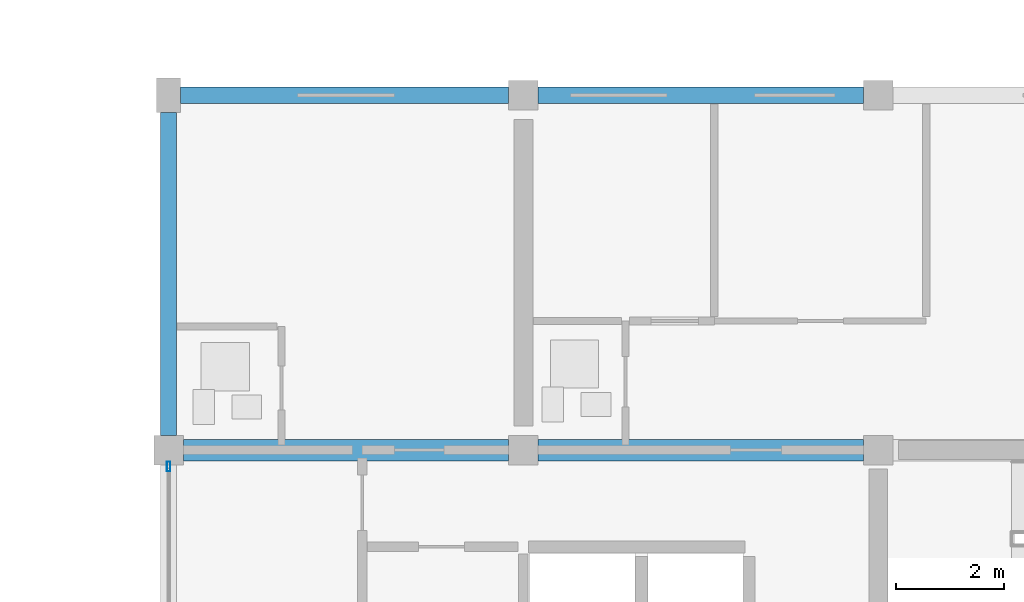
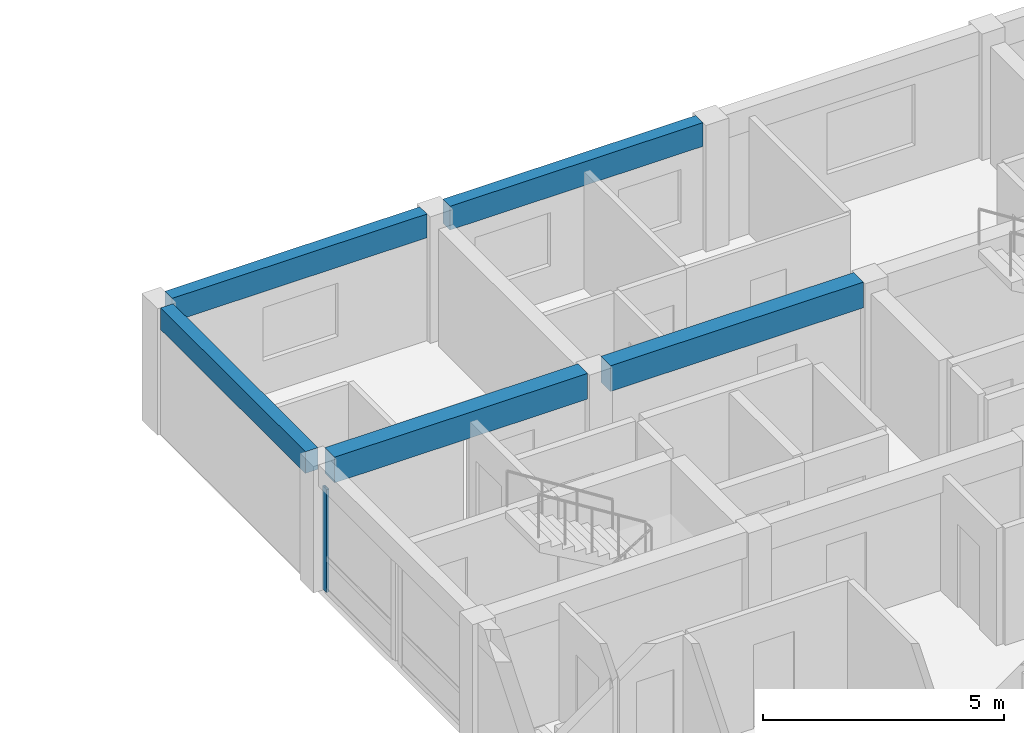
# One storey, part 20 of 52: 5 beams, 1 member, 1 element without a shape of its own.
"""IFC4 building model written with IfcOpenShell, lengths in metres."""

import ifcopenshell
import ifcopenshell.guid

model = None  # the IFC model being written
_history = None  # IfcOwnerHistory: only IFC2X3 demands one
_inside = {}  # id of a spatial element -> (the spatial element, [elements in it])
_under = {}  # id of a project, library or spatial element -> (it, [spatial elements below it])
_declared = {}  # id of a project -> (the project, [libraries it declares])
_typed = {}  # id of a type object -> (the type object, [elements of that type])
_made_of = {}  # id of a material, layer set ... -> (it, [elements and type objects made of it])


def new_model(schema):
    """Start an empty IFC model of exactly this schema.

    Asked for "IFC4X3", IfcOpenShell would pick the latest addendum, in which some entities
    have other attributes; the version numbers below select the first issue.
    IFC2X3 requires an IfcOwnerHistory on every rooted entity: one is made here for all.
    """
    global model, _history
    if schema == "IFC4X3":
        model = ifcopenshell.file(schema_version=(4, 3, 0, 0))
    else:
        model = ifcopenshell.file(schema=schema)
    _inside.clear()
    _under.clear()
    _declared.clear()
    _typed.clear()
    _made_of.clear()
    _history = None
    if model.schema == "IFC2X3":
        org = make("IfcOrganization", Name="unknown")
        user = make(
            "IfcPersonAndOrganization",
            ThePerson=make("IfcPerson", FamilyName="unknown"),
            TheOrganization=org,
        )
        app = make(
            "IfcApplication",
            ApplicationDeveloper=org,
            Version="unknown",
            ApplicationFullName="unknown",
            ApplicationIdentifier="unknown",
        )
        _history = make(
            "IfcOwnerHistory",
            OwningUser=user,
            OwningApplication=app,
            ChangeAction="ADDED",
            CreationDate=0,
        )
    return model


def make(cls, **values):
    """One entity of the class cls with the attributes given. An attribute that is None is left unset."""
    return model.create_entity(
        cls, **{name: value for name, value in values.items() if value is not None}
    )


def rooted(cls, **values):
    """An entity with a GlobalId (a new one), such as an element, a storey or a relation."""
    return make(cls, GlobalId=ifcopenshell.guid.new(), OwnerHistory=_history, **values)


def si_unit(unit_type, name, prefix=None):
    """IfcSIUnit, for example si_unit("LENGTHUNIT", "METRE", prefix="MILLI")."""
    return make("IfcSIUnit", UnitType=unit_type, Prefix=prefix, Name=name)


def assignment(units):
    """IfcUnitAssignment: the units of a project."""
    return None if units is None else make("IfcUnitAssignment", Units=units)


def point(xyz):
    """IfcCartesianPoint."""
    return None if xyz is None else make("IfcCartesianPoint", Coordinates=xyz)


def direction(xyz):
    """IfcDirection."""
    return None if xyz is None else make("IfcDirection", DirectionRatios=xyz)


def frame(location, z_axis=None, x_axis=None):
    """IfcAxis2Placement3D, a coordinate frame: its origin and axes. An axis left out is left unset."""
    return make(
        "IfcAxis2Placement3D",
        Location=point(location),
        Axis=direction(z_axis),
        RefDirection=direction(x_axis),
    )


def frame_2d(location, x_axis=None):
    """IfcAxis2Placement2D, a coordinate frame in the plane: its origin and x axis."""
    return make(
        "IfcAxis2Placement2D", Location=point(location), RefDirection=direction(x_axis)
    )


def origin():
    """The frame at (0, 0, 0) with its axes left unset."""
    return frame((0.0, 0.0, 0.0))


def origin_2d():
    """The frame at (0, 0) in the plane with its x axis left unset."""
    return frame_2d((0.0, 0.0))


def place(relative_to, where):
    """IfcLocalPlacement: puts the frame where relative to a parent placement (None: the world)."""
    return make(
        "IfcLocalPlacement", PlacementRelTo=relative_to, RelativePlacement=where
    )


def context(
    kind, dimensions, precision=None, world=None, true_north=None, identifier=None
):
    """IfcGeometricRepresentationContext, for example the 3D "Model" context."""
    return make(
        "IfcGeometricRepresentationContext",
        ContextIdentifier=identifier,
        ContextType=kind,
        CoordinateSpaceDimension=dimensions,
        Precision=precision,
        WorldCoordinateSystem=world,
        TrueNorth=true_north,
    )


def subcontext(parent, identifier, kind, view, scale=None):
    """IfcGeometricRepresentationSubContext, for example "Body" below "Model"."""
    return make(
        "IfcGeometricRepresentationSubContext",
        ContextIdentifier=identifier,
        ContextType=kind,
        ParentContext=parent,
        TargetScale=scale,
        TargetView=view,
    )


def project(units=None, contexts=None):
    """IfcProject with its units and contexts."""
    return rooted(
        "IfcProject",
        Name="project",
        RepresentationContexts=contexts,
        UnitsInContext=assignment(units),
    )


def spatial(cls, under=None, at=None, **own):
    """A site, building, storey or space (cls), placed at a placement, below another one or the project."""
    s = rooted(cls, ObjectPlacement=at, **own)
    if under is not None:
        _under.setdefault(under.id(), (under, []))[1].append(s)
    return s


def profile(cls, at=None, kind="AREA", **sizes):
    """A parametric profile (cls). Its sizes go by their IFC names, for example OverallWidth=200.0."""
    return make(cls, ProfileType=kind, Position=at, **sizes)


def rectangle(**sizes):
    """IfcRectangleProfileDef."""
    return profile("IfcRectangleProfileDef", **sizes)


def hollow_rectangle(**sizes):
    """IfcRectangleHollowProfileDef."""
    return profile("IfcRectangleHollowProfileDef", **sizes)


def extrude(swept, where, along, depth):
    """IfcExtrudedAreaSolid: the profile swept, set in the frame where, extruded along a direction by depth."""
    return make(
        "IfcExtrudedAreaSolid",
        SweptArea=swept,
        Position=where,
        ExtrudedDirection=direction(along),
        Depth=depth,
    )


def shape(context_of_items, identifier, shape_type, items):
    """IfcShapeRepresentation: the items that make up one representation, for example the "Body"."""
    return make(
        "IfcShapeRepresentation",
        ContextOfItems=context_of_items,
        RepresentationIdentifier=identifier,
        RepresentationType=shape_type,
        Items=items,
    )


def material(Name=None, Category=None):
    """IfcMaterial."""
    return make("IfcMaterial", Name=Name, Category=Category)


def material_profile(
    of_material, cross_section, Name=None, Category=None, Priority=None
):
    """IfcMaterialProfile: a cross section and its material."""
    return make(
        "IfcMaterialProfile",
        Name=Name,
        Material=of_material,
        Profile=cross_section,
        Priority=Priority,
        Category=Category,
    )


def profile_set(profiles, Name=None, composite=None):
    """IfcMaterialProfileSet."""
    return make(
        "IfcMaterialProfileSet",
        Name=Name,
        MaterialProfiles=profiles,
        CompositeProfile=composite,
    )


def made_of(thing, what):
    """Note that an element or type object is made of a material, layer set ...; save() writes the relation."""
    if what is not None:
        _made_of.setdefault(what.id(), (what, []))[1].append(thing)
    return thing


def type_object(cls, material=None, **own):
    """A type object (cls), such as IfcWallType, which elements share."""
    return made_of(rooted(cls, **own), material)


def element(
    cls,
    number,
    at=None,
    inside=None,
    cuts=None,
    type_object=None,
    material=None,
    context=None,
    identifier="Body",
    shape_type=None,
    held_by="IfcProductDefinitionShape",
    body=None,
    shapes=None,
    **own,
):
    """One element of the class cls, such as IfcWall. Its Tag is "e" and its number.

    at: its placement. inside: the storey or other place that contains it. cuts: it is an
    opening in that element (IfcRelVoidsElement). A single representation is given by context,
    identifier, shape_type and body (its items); several are given by shapes. held_by: the class
    of the entity that holds the representations. save() writes the other relations.
    """
    e = rooted(cls, Tag="e%d" % number, ObjectPlacement=at, **own)
    if body is not None:
        shapes = [shape(context, identifier, shape_type, body)]
    if shapes is not None:
        e.Representation = make(held_by, Representations=shapes)
    if inside is not None:
        _inside.setdefault(inside.id(), (inside, []))[1].append(e)
    if cuts is not None:
        rooted(
            "IfcRelVoidsElement", RelatingBuildingElement=cuts, RelatedOpeningElement=e
        )
    if type_object is not None:
        _typed.setdefault(type_object.id(), (type_object, []))[1].append(e)
    return made_of(e, material)


def aggregate(whole, parts):
    """IfcRelAggregates: a whole, such as a stair, and the parts it consists of."""
    return rooted("IfcRelAggregates", RelatingObject=whole, RelatedObjects=parts)


def save(model, path):
    """Write the relations noted so far, then the file.

    IfcRelAggregates (storeys below a building ...), IfcRelContainedInSpatialStructure (elements
    in a storey), IfcRelDefinesByType, IfcRelAssociatesMaterial and IfcRelDeclares: one each for
    every whole, place, type object, material and project.
    """
    for whole, parts in _under.values():
        aggregate(whole, parts)
    for where, things in _inside.values():
        rooted(
            "IfcRelContainedInSpatialStructure",
            RelatedElements=things,
            RelatingStructure=where,
        )
    for kind, things in _typed.values():
        rooted("IfcRelDefinesByType", RelatedObjects=things, RelatingType=kind)
    for what, things in _made_of.values():
        rooted("IfcRelAssociatesMaterial", RelatedObjects=things, RelatingMaterial=what)
    for by, libraries in _declared.values():
        rooted("IfcRelDeclares", RelatingContext=by, RelatedDefinitions=libraries)
    model.write(path)


model = new_model("IFC4")

# Units and contexts
model_context = context("Model", 3, precision=1e-05, world=origin(), true_north=direction((0.0, 1.0)))
body_context = subcontext(model_context, "Body", "Model", "MODEL_VIEW")
ifc_project = project(units=[si_unit("LENGTHUNIT", "METRE"), si_unit("AREAUNIT", "SQUARE_METRE"), si_unit("VOLUMEUNIT", "CUBIC_METRE"), si_unit("PLANEANGLEUNIT", "RADIAN"), si_unit("MASSUNIT", "GRAM", prefix="KILO")], contexts=[model_context])

# Site, building, storey
site_placement = place(None, origin())
site = spatial("IfcSite", under=ifc_project, at=site_placement, CompositionType="ELEMENT")
building_placement = place(site_placement, origin())
building = spatial("IfcBuilding", under=site, at=building_placement, Name="Kernevlak Ridge Housing Community", CompositionType="ELEMENT")
storey_placement = place(building_placement, frame((0.0, 0.0, 11.60009765625)))
storey = spatial("IfcBuildingStorey", under=building, at=storey_placement, Name="L03", CompositionType="ELEMENT", Elevation=11.60009765625)

# Beams
ifc_material_1 = material(Name="Concrete C35/45", Category="concrete")
ifc_material_profile_1 = material_profile(ifc_material_1, rectangle(XDim=0.39990234375, YDim=0.64990234375, at=origin_2d()), Name="RC 400x650")
ifc_profile_set_1 = profile_set([ifc_material_profile_1], Name="Concrete C35/45")
beam_type_1 = type_object("IfcBeamType", Name="B-03", PredefinedType="T_BEAM", material=ifc_profile_set_1)
for number, where, z_axis, x_axis, name in (
    (1, (119.675048828125, 95.800048828125, 2.875), (1.0, 0.0, 0.0), (0.0, 1.0, 0.0), "Beam B-03 L03 665"),
    (2, (126.27490234375, 95.800048828125, 2.875), (1.0, 0.0, 0.0), (0.0, 1.0, 0.0), "Beam B-03 L03 666"),
):
    element("IfcBeam", number, at=place(storey_placement, frame(where, z_axis=z_axis, x_axis=x_axis)), inside=storey, type_object=beam_type_1, Name=name, PredefinedType="T_BEAM", context=body_context, shape_type="SweptSolid", body=[
        extrude(rectangle(XDim=0.39990234375, YDim=0.64990234375, at=origin_2d()), origin(), (0.0, 0.0, 1.0), 6.050048828125),
    ])

# Curtain wall, member
ifc_material_2 = material(Name="Aluminium EN AW-6060 anodised and laminated glass", Category="aluminium")
curtain_wall_type = type_object("IfcCurtainWallType", Name="CW-10", PredefinedType="NOTDEFINED", material=ifc_material_2)
curtain_wall_placement = place(storey_placement, origin())
curtain_wall = element("IfcCurtainWall", 3, at=curtain_wall_placement, inside=storey, type_object=curtain_wall_type, Name="Curtain wall CW-10 CW-L03-065", PredefinedType="NOTDEFINED")
ifc_material_3 = material(Name="Aluminium EN AW-6060 anodised", Category="aluminium")
ifc_material_profile_2 = material_profile(ifc_material_3, hollow_rectangle(XDim=0.06494140625, YDim=0.179931640625, WallThickness=0.00439453125, InnerFilletRadius=0.001953125, OuterFilletRadius=0.00439453125, at=origin_2d()), Name="ALU 65x180x4.5")
ifc_profile_set_2 = profile_set([ifc_material_profile_2], Name="Aluminium EN AW-6060 anodised")
member_type = type_object("IfcMemberType", Name="MU-03", PredefinedType="MULLION", material=ifc_profile_set_2)
member_placement = place(storey_placement, frame((119.39990234375, 95.492431640625, 0.0), z_axis=(0.0, 0.0, 1.0), x_axis=(-1.0, 0.0, 0.0)))
member = element("IfcMember", 4, at=member_placement, type_object=member_type, Name="CW-10 mullion 2", PredefinedType="MULLION", context=body_context, shape_type="SweptSolid", body=[
    extrude(hollow_rectangle(XDim=0.06494140625, YDim=0.179931640625, WallThickness=0.00439453125, InnerFilletRadius=0.001953125, OuterFilletRadius=0.00439453125, at=origin_2d()), origin(), (0.0, 0.0, 1.0), 2.599853515625),
])
aggregate(curtain_wall, [member])

# Beams
ifc_material_profile_3 = material_profile(ifc_material_1, rectangle(XDim=0.300048828125, YDim=0.550048828125, at=origin_2d()), Name="RC 300x550")
ifc_profile_set_3 = profile_set([ifc_material_profile_3], Name="Concrete C35/45")
beam_type_2 = type_object("IfcBeamType", Name="SP-01", PredefinedType="SPANDREL", material=ifc_profile_set_3)
beam_1_placement = place(storey_placement, frame((119.39990234375, 96.074951171875, 2.9248046875), z_axis=(0.0, 1.0, 0.0), x_axis=(-1.0, 0.0, 0.0)))
element("IfcBeam", 5, at=beam_1_placement, inside=storey, type_object=beam_type_2, Name="Beam SP-01 L03 677", PredefinedType="SPANDREL", context=body_context, shape_type="SweptSolid", body=[
    extrude(rectangle(XDim=0.300048828125, YDim=0.550048828125, at=origin_2d()), origin(), (0.0, 0.0, 1.0), 6.0),
])
ifc_material_profile_4 = material_profile(ifc_material_1, rectangle(XDim=0.300048828125, YDim=0.60009765625, at=origin_2d()), Name="RC 300x600")
ifc_profile_set_4 = profile_set([ifc_material_profile_4], Name="Concrete C35/45")
beam_type_3 = type_object("IfcBeamType", Name="SP-02", PredefinedType="SPANDREL", material=ifc_profile_set_4)
beam_2_placement = place(storey_placement, frame((119.625, 102.39990234375, 2.89990234375), z_axis=(1.0, 0.0, 0.0), x_axis=(0.0, 1.0, 0.0)))
element("IfcBeam", 6, at=beam_2_placement, inside=storey, type_object=beam_type_3, Name="Beam SP-02 L03 670", PredefinedType="SPANDREL", context=body_context, shape_type="SweptSolid", body=[
    extrude(rectangle(XDim=0.300048828125, YDim=0.60009765625, at=origin_2d()), origin(), (0.0, 0.0, 1.0), 6.10009765625),
])
beam_3_placement = place(storey_placement, frame((126.27490234375, 102.39990234375, 2.89990234375), z_axis=(1.0, 0.0, 0.0), x_axis=(0.0, 1.0, 0.0)))
element("IfcBeam", 7, at=beam_3_placement, inside=storey, type_object=beam_type_3, Name="Beam SP-02 L03 671", PredefinedType="SPANDREL", context=body_context, shape_type="SweptSolid", body=[
    extrude(rectangle(XDim=0.300048828125, YDim=0.60009765625, at=origin_2d()), origin(), (0.0, 0.0, 1.0), 6.050048828125),
])

save(model, "model.ifc")
